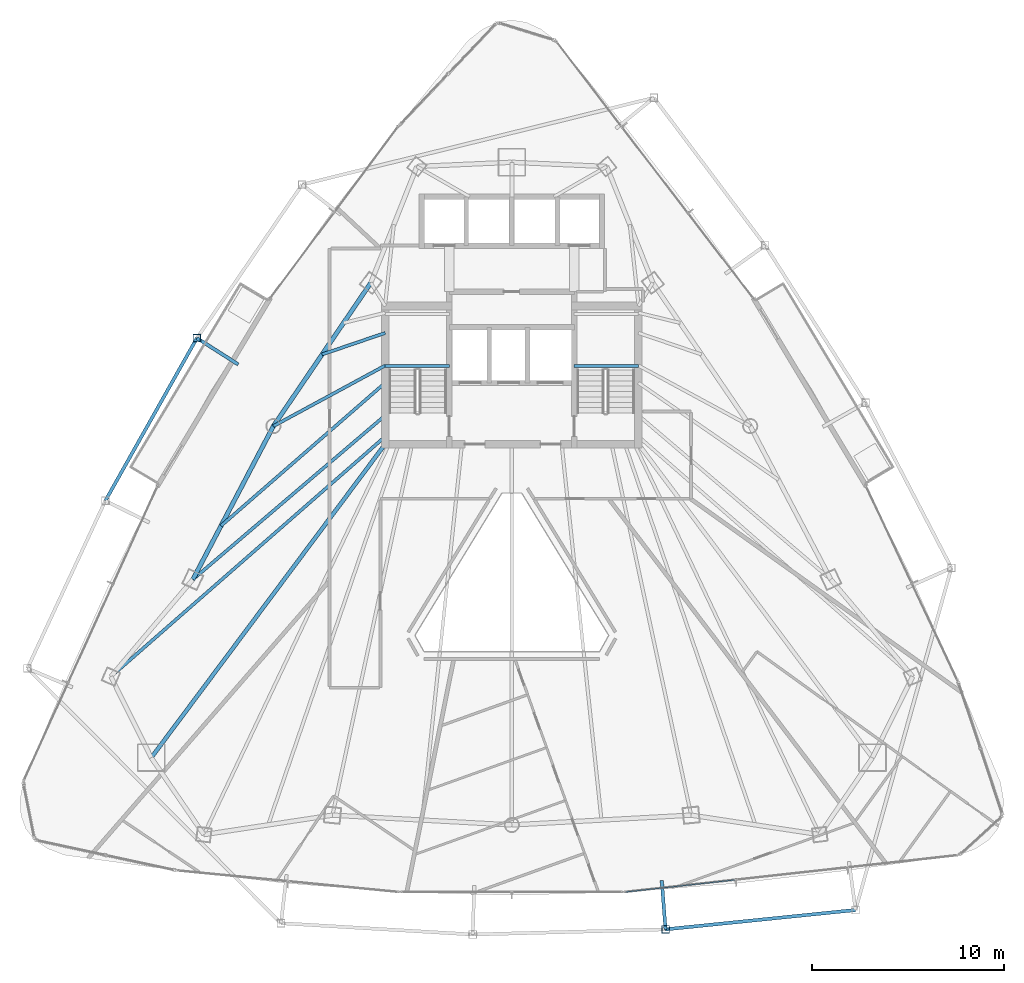
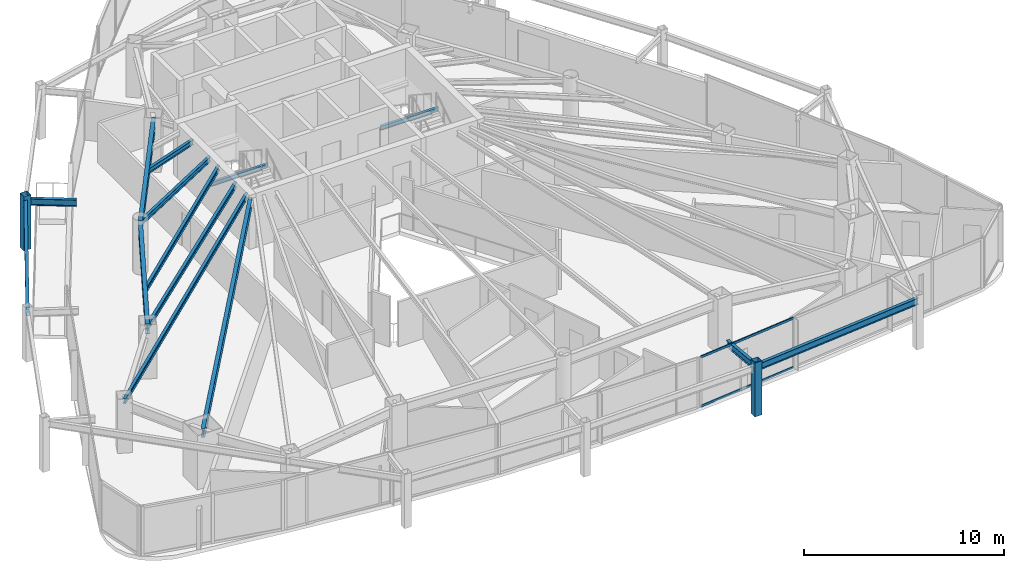
# One storey, part 11 of 30: 14 beams, 4 members, 1 element without a shape of its own.
"""IFC4 building model written with IfcOpenShell, lengths in metres."""

from ifc_helpers import new_model, si_unit, direction, frame, origin, origin_2d, place, context, subcontext, project, spatial, hollow_rectangle, i_section, extrude, material, layer, layer_set, material_profile, profile_set, type_object, element, aggregate, save


model = new_model("IFC4")

# Units and contexts
model_context = context("Model", 3, precision=1e-05, world=origin(), true_north=direction((0.0, 1.0)))
body_context = subcontext(model_context, "Body", "Model", "MODEL_VIEW")
ifc_project = project(units=[si_unit("LENGTHUNIT", "METRE"), si_unit("AREAUNIT", "SQUARE_METRE"), si_unit("VOLUMEUNIT", "CUBIC_METRE"), si_unit("PLANEANGLEUNIT", "RADIAN"), si_unit("MASSUNIT", "GRAM", prefix="KILO")], contexts=[model_context])

# Site, building, storey
site_placement = place(None, origin())
site = spatial("IfcSite", under=ifc_project, at=site_placement, CompositionType="ELEMENT")
building_placement = place(site_placement, origin())
building = spatial("IfcBuilding", under=site, at=building_placement, Name="Orvanel Arch Residences", CompositionType="ELEMENT")
storey_placement = place(building_placement, frame((0.0, 0.0, 139.699951171875)))
storey = spatial("IfcBuildingStorey", under=building, at=storey_placement, Name="L39", CompositionType="ELEMENT", Elevation=139.699951171875)

# Beams
ifc_material_1 = material(Name="Structural steel AS/NZS 3679.1 Grade 300 (300 MPa)", Category="steel")
ifc_material_profile_1 = material_profile(ifc_material_1, i_section(OverallWidth=0.208984375, OverallDepth=0.532958984375, WebThickness=0.01025390625, FlangeThickness=0.015625, at=origin_2d()), Name="530UB92.4")
ifc_profile_set_1 = profile_set([ifc_material_profile_1], Name="Structural steel AS/NZS 3679.1 Grade 300 (300 MPa)")
beam_type_1 = type_object("IfcBeamType", Name="BG-530UB", PredefinedType="BEAM", material=ifc_profile_set_1)
beam_1_placement = place(storey_placement, frame((26.375, 26.675048828125, 2.79296875), z_axis=(-0.597893733742, -0.801575375839, 0.0), x_axis=(0.801575375839, -0.597893733742, 0.0)))
element("IfcBeam", 1, at=beam_1_placement, inside=storey, type_object=beam_type_1, Name="L39 South-West Radial Girder", PredefinedType="BEAM", context=body_context, shape_type="SweptSolid", body=[
    extrude(i_section(OverallWidth=0.208984375, OverallDepth=0.532958984375, WebThickness=0.01025390625, FlangeThickness=0.015625, at=origin_2d()), origin(), (0.0, 0.0, 1.0), 20.36474609375),
])
ifc_material_profile_2 = material_profile(ifc_material_1, i_section(OverallWidth=0.14599609375, OverallDepth=0.251953125, WebThickness=0.006103515625, FlangeThickness=0.008544921875, at=origin_2d()), Name="250UB31.4")
ifc_profile_set_2 = profile_set([ifc_material_profile_2], Name="Structural steel AS/NZS 3679.1 Grade 300 (300 MPa)")
beam_type_2 = type_object("IfcBeamType", Name="BJ-250UB", PredefinedType="JOIST", material=ifc_profile_set_2)
for number, where, z_axis, x_axis, name in (
    (2, (26.39990234375, 30.780029296875, 1.323974609375), (1.0, 0.0, 0.0), (0.0, 1.0, 0.0), "L39 ST-1 Half-Landing Support Beam 1.1"),
    (3, (36.25, 30.780029296875, 1.323974609375), (1.0, 0.0, 0.0), (0.0, 1.0, 0.0), "L39 ST-2 Half-Landing Support Beam 1.1"),
):
    element("IfcBeam", number, at=place(storey_placement, frame(where, z_axis=z_axis, x_axis=x_axis)), inside=storey, type_object=beam_type_2, Name=name, PredefinedType="JOIST", context=body_context, shape_type="SweptSolid", body=[
        extrude(i_section(OverallWidth=0.14599609375, OverallDepth=0.251953125, WebThickness=0.006103515625, FlangeThickness=0.008544921875, at=origin_2d()), origin(), (0.0, 0.0, 1.0), 3.35009765625),
    ])
ifc_material_profile_3 = material_profile(ifc_material_1, i_section(OverallWidth=0.1650390625, OverallDepth=0.303955078125, WebThickness=0.006103515625, FlangeThickness=0.01025390625, at=origin_2d()), Name="310UB40.4")
ifc_profile_set_3 = profile_set([ifc_material_profile_3], Name="Structural steel AS/NZS 3679.1 Grade 300 (300 MPa)")
beam_type_3 = type_object("IfcBeamType", Name="BJ-310UB", PredefinedType="JOIST", material=ifc_profile_set_3)
beam_2_placement = place(storey_placement, frame((26.39990234375, 30.800048828125, 2.907958984375), z_axis=(-0.87925534649, -0.476350748576, 0.0), x_axis=(0.476350748576, -0.87925534649, 0.0)))
element("IfcBeam", 4, at=beam_2_placement, inside=storey, type_object=beam_type_3, Name="L39 NW Wing Floor Joist", PredefinedType="JOIST", context=body_context, shape_type="SweptSolid", body=[
    extrude(i_section(OverallWidth=0.1650390625, OverallDepth=0.303955078125, WebThickness=0.006103515625, FlangeThickness=0.01025390625, at=origin_2d()), origin(), (0.0, 0.0, 1.0), 6.631591796875),
])
beam_3_placement = place(storey_placement, frame((26.39990234375, 28.199951171875, 2.907958984375), z_axis=(-0.760821315761, -0.648961420644, 0.0), x_axis=(0.648961420644, -0.760821315761, 0.0)))
element("IfcBeam", 5, at=beam_3_placement, inside=storey, type_object=beam_type_3, Name="L39 W Wing Floor Joist", PredefinedType="JOIST", context=body_context, shape_type="SweptSolid", body=[
    extrude(i_section(OverallWidth=0.1650390625, OverallDepth=0.303955078125, WebThickness=0.006103515625, FlangeThickness=0.01025390625, at=origin_2d()), origin(), (0.0, 0.0, 1.0), 13.18701171875),
])
beam_4_placement = place(storey_placement, frame((26.39990234375, 32.5, 2.907958984375), z_axis=(-0.946441958332, -0.322873999431, 0.0), x_axis=(0.322873999431, -0.946441958332, 0.0)))
element("IfcBeam", 6, at=beam_4_placement, inside=storey, type_object=beam_type_3, Name="L39 WNW Wing Floor Joist", PredefinedType="JOIST", context=body_context, shape_type="SweptSolid", body=[
    extrude(i_section(OverallWidth=0.1650390625, OverallDepth=0.303955078125, WebThickness=0.006103515625, FlangeThickness=0.01025390625, at=origin_2d()), origin(), (0.0, 0.0, 1.0), 3.478271484375),
])
beam_5_placement = place(storey_placement, frame((26.39990234375, 27.10009765625, 2.907958984375), z_axis=(-0.752493154183, -0.658600070534, 0.0), x_axis=(0.658600070534, -0.752493154183, 0.0)))
element("IfcBeam", 7, at=beam_5_placement, inside=storey, type_object=beam_type_3, Name="L39 MW Wing Floor Joist", PredefinedType="JOIST", context=body_context, shape_type="SweptSolid", body=[
    extrude(i_section(OverallWidth=0.1650390625, OverallDepth=0.303955078125, WebThickness=0.006103515625, FlangeThickness=0.01025390625, at=origin_2d()), origin(), (0.0, 0.0, 1.0), 19.010009765625),
])
beam_6_placement = place(storey_placement, frame((26.39990234375, 29.89990234375, 2.907958984375), z_axis=(-0.754047930849, -0.656819395254, 0.0), x_axis=(0.656819395254, -0.754047930849, 0.0)))
element("IfcBeam", 8, at=beam_6_placement, inside=storey, type_object=beam_type_3, Name="L39 CTW Wing Floor Joist", PredefinedType="JOIST", context=body_context, shape_type="SweptSolid", body=[
    extrude(i_section(OverallWidth=0.1650390625, OverallDepth=0.303955078125, WebThickness=0.006103515625, FlangeThickness=0.01025390625, at=origin_2d()), origin(), (0.0, 0.0, 1.0), 11.354736328125),
])
ifc_material_profile_4 = material_profile(ifc_material_1, i_section(OverallWidth=0.177978515625, OverallDepth=0.406005859375, WebThickness=0.0078125, FlangeThickness=0.0126953125, at=origin_2d()), Name="410UB59.7")
ifc_profile_set_4 = profile_set([ifc_material_profile_4], Name="Structural steel AS/NZS 3679.1 Grade 300 (300 MPa)")
beam_type_4 = type_object("IfcBeamType", Name="OB-410UB-EXT", PredefinedType="SPANDREL", material=ifc_profile_set_4)
beam_7_placement = place(storey_placement, frame((18.72998046875, 30.85791015625, 2.85693359375), z_axis=(-0.842674541319, 0.538423269754, 0.0), x_axis=(-0.538423269754, -0.842674541319, 0.0)))
element("IfcBeam", 9, at=beam_7_placement, inside=storey, type_object=beam_type_4, Name="L39 Outer Frame Radial Tie Beam 02", PredefinedType="SPANDREL", context=body_context, shape_type="SweptSolid", body=[
    extrude(i_section(OverallWidth=0.177978515625, OverallDepth=0.406005859375, WebThickness=0.0078125, FlangeThickness=0.0126953125, at=origin_2d()), origin(), (0.0, 0.0, 1.0), 2.550048828125),
])
beam_8_placement = place(storey_placement, frame((16.5810546875, 32.23095703125, 2.85693359375), z_axis=(-0.490535083464, -0.871421443327, 0.0), x_axis=(0.871421443327, -0.490535083464, 0.0)))
element("IfcBeam", 10, at=beam_8_placement, inside=storey, type_object=beam_type_4, Name="L39 Outer Perimeter Floor Ring Beam 02", PredefinedType="SPANDREL", context=body_context, shape_type="SweptSolid", body=[
    extrude(i_section(OverallWidth=0.177978515625, OverallDepth=0.406005859375, WebThickness=0.0078125, FlangeThickness=0.0126953125, at=origin_2d()), origin(), (0.0, 0.0, 1.0), 9.734619140625),
])
beam_9_placement = place(storey_placement, frame((40.819091796875, 3.943115234375, 2.85693359375), z_axis=(0.077238094442, -0.997012676332, 0.0), x_axis=(0.997012676332, 0.077238094442, 0.0)))
element("IfcBeam", 11, at=beam_9_placement, inside=storey, type_object=beam_type_4, Name="L39 Outer Frame Radial Tie Beam 07", PredefinedType="SPANDREL", context=body_context, shape_type="SweptSolid", body=[
    extrude(i_section(OverallWidth=0.177978515625, OverallDepth=0.406005859375, WebThickness=0.0078125, FlangeThickness=0.0126953125, at=origin_2d()), origin(), (0.0, 0.0, 1.0), 2.55078125),
])
beam_10_placement = place(storey_placement, frame((41.01611328125, 1.39990234375, 2.85693359375), z_axis=(0.994855237823, 0.101306741024, 0.0), x_axis=(-0.101306741024, 0.994855237823, 0.0)))
element("IfcBeam", 12, at=beam_10_placement, inside=storey, type_object=beam_type_4, Name="L39 Outer Perimeter Floor Ring Beam 07", PredefinedType="SPANDREL", context=body_context, shape_type="SweptSolid", body=[
    extrude(i_section(OverallWidth=0.177978515625, OverallDepth=0.406005859375, WebThickness=0.0078125, FlangeThickness=0.0126953125, at=origin_2d()), origin(), (0.0, 0.0, 1.0), 9.960205078125),
])
ifc_material_profile_5 = material_profile(ifc_material_1, i_section(OverallWidth=0.22900390625, OverallDepth=0.612060546875, WebThickness=0.011962890625, FlangeThickness=0.01953125, at=origin_2d()), Name="610UB125")
ifc_profile_set_5 = profile_set([ifc_material_profile_5], Name="Structural steel AS/NZS 3679.1 Grade 300 (300 MPa)")
beam_type_5 = type_object("IfcBeamType", Name="SP-610UB", PredefinedType="SPANDREL", material=ifc_profile_set_5)
beam_11_placement = place(storey_placement, frame((25.64794921875, 35.113037109375, 2.754150390625), z_axis=(-0.562154793153, -0.827032035978, 0.0), x_axis=(0.827032035978, -0.562154793153, 0.0)))
element("IfcBeam", 13, at=beam_11_placement, inside=storey, type_object=beam_type_5, Name="L39 Perimeter Spandrel Beam 17", PredefinedType="SPANDREL", context=body_context, shape_type="SweptSolid", body=[
    extrude(i_section(OverallWidth=0.22900390625, OverallDepth=0.612060546875, WebThickness=0.011962890625, FlangeThickness=0.01953125, at=origin_2d()), origin(), (0.0, 0.0, 1.0), 9.03466796875),
])
beam_12_placement = place(storey_placement, frame((20.569091796875, 27.64111328125, 2.754150390625), z_axis=(-0.465064762793, -0.885276660942, 0.0), x_axis=(0.885276660942, -0.465064762793, 0.0)))
element("IfcBeam", 14, at=beam_12_placement, inside=storey, type_object=beam_type_5, Name="L39 Perimeter Spandrel Beam 18", PredefinedType="SPANDREL", context=body_context, shape_type="SweptSolid", body=[
    extrude(i_section(OverallWidth=0.22900390625, OverallDepth=0.612060546875, WebThickness=0.011962890625, FlangeThickness=0.01953125, at=origin_2d()), origin(), (0.0, 0.0, 1.0), 9.03564453125),
])

# Members
ifc_material_2 = material(Name="Structural steel AS/NZS 1163 C450L0 (Grade 450)", Category="steel")
ifc_material_profile_6 = material_profile(ifc_material_2, hollow_rectangle(XDim=0.39990234375, YDim=0.39990234375, WallThickness=0.01611328125, at=origin_2d()), Name="SHS400x400x16")
ifc_profile_set_6 = profile_set([ifc_material_profile_6], Name="Structural steel AS/NZS 1163 C450L0 (Grade 450)")
member_type_1 = type_object("IfcMemberType", Name="ST-400SHS-EXT", PredefinedType="STRUT", material=ifc_profile_set_6)
for number, where, z_axis, x_axis, name in (
    (15, (16.5810546875, 32.23095703125, 0.0), (0.0, 0.0, 1.0), (1.0, 0.0, 0.0), "L39 Outer Perimeter Frame Post 02"),
    (16, (41.01611328125, 1.39990234375, 0.0), (0.0, 0.0, 1.0), (1.0, 0.0, 0.0), "L39 Outer Perimeter Frame Post 07"),
):
    element("IfcMember", number, at=place(storey_placement, frame(where, z_axis=z_axis, x_axis=x_axis)), inside=storey, type_object=member_type_1, Name=name, PredefinedType="STRUT", context=body_context, shape_type="SweptSolid", body=[
        extrude(hollow_rectangle(XDim=0.39990234375, YDim=0.39990234375, WallThickness=0.01611328125, at=origin_2d()), origin(), (0.0, 0.0, 1.0), 3.300048828125),
    ])

# Curtain wall, members
ifc_material_3 = material(Name="Bronze-anodised aluminium AA6063-T6", Category="aluminium")
ifc_layer = layer(ifc_material_3, 0.179931640625)
ifc_layer_set = layer_set([ifc_layer], Name="Bronze-anodised aluminium AA6063-T6")
curtain_wall_type = type_object("IfcCurtainWallType", Name="CW3-MID-SYS", PredefinedType="NOTDEFINED", material=ifc_layer_set)
curtain_wall_placement = place(storey_placement, origin())
curtain_wall = element("IfcCurtainWall", 17, at=curtain_wall_placement, inside=storey, type_object=curtain_wall_type, Name="L39 CW3-MID-SYS Unitised Curtain Wall", PredefinedType="NOTDEFINED")
ifc_material_profile_7 = material_profile(ifc_material_3, hollow_rectangle(XDim=0.06005859375, YDim=0.135009765625, WallThickness=0.00390625, at=origin_2d()), Name="ALU135x60x4")
ifc_profile_set_7 = profile_set([ifc_material_profile_7], Name="Bronze-anodised aluminium AA6063-T6")
member_type_2 = type_object("IfcMemberType", Name="TRN-135x60", PredefinedType="USERDEFINED", material=ifc_profile_set_7)
member_1_placement = place(storey_placement, frame((38.920654296875, 3.3466796875, 0.030029296875), z_axis=(0.993944704215, 0.109881413179, 0.0), x_axis=(-0.109881413179, 0.993944704215, 0.0)))
member_1 = element("IfcMember", 18, at=member_1_placement, type_object=member_type_2, Name="CW-S3 transom 1.1", ObjectType="TRANSOM", PredefinedType="USERDEFINED", context=body_context, shape_type="SweptSolid", body=[
    extrude(hollow_rectangle(XDim=0.06005859375, YDim=0.135009765625, WallThickness=0.00390625, at=origin_2d()), origin(), (0.0, 0.0, 1.0), 5.748046875),
])
member_2_placement = place(storey_placement, frame((38.920654296875, 3.3466796875, 3.030029296875), z_axis=(0.993944704215, 0.109881413179, 0.0), x_axis=(-0.109881413179, 0.993944704215, 0.0)))
member_2 = element("IfcMember", 19, at=member_2_placement, type_object=member_type_2, Name="CW-S3 transom 1.2", ObjectType="TRANSOM", PredefinedType="USERDEFINED", context=body_context, shape_type="SweptSolid", body=[
    extrude(hollow_rectangle(XDim=0.06005859375, YDim=0.135009765625, WallThickness=0.00390625, at=origin_2d()), origin(), (0.0, 0.0, 1.0), 5.748046875),
])
aggregate(curtain_wall, [member_1, member_2])

save(model, "model.ifc")
